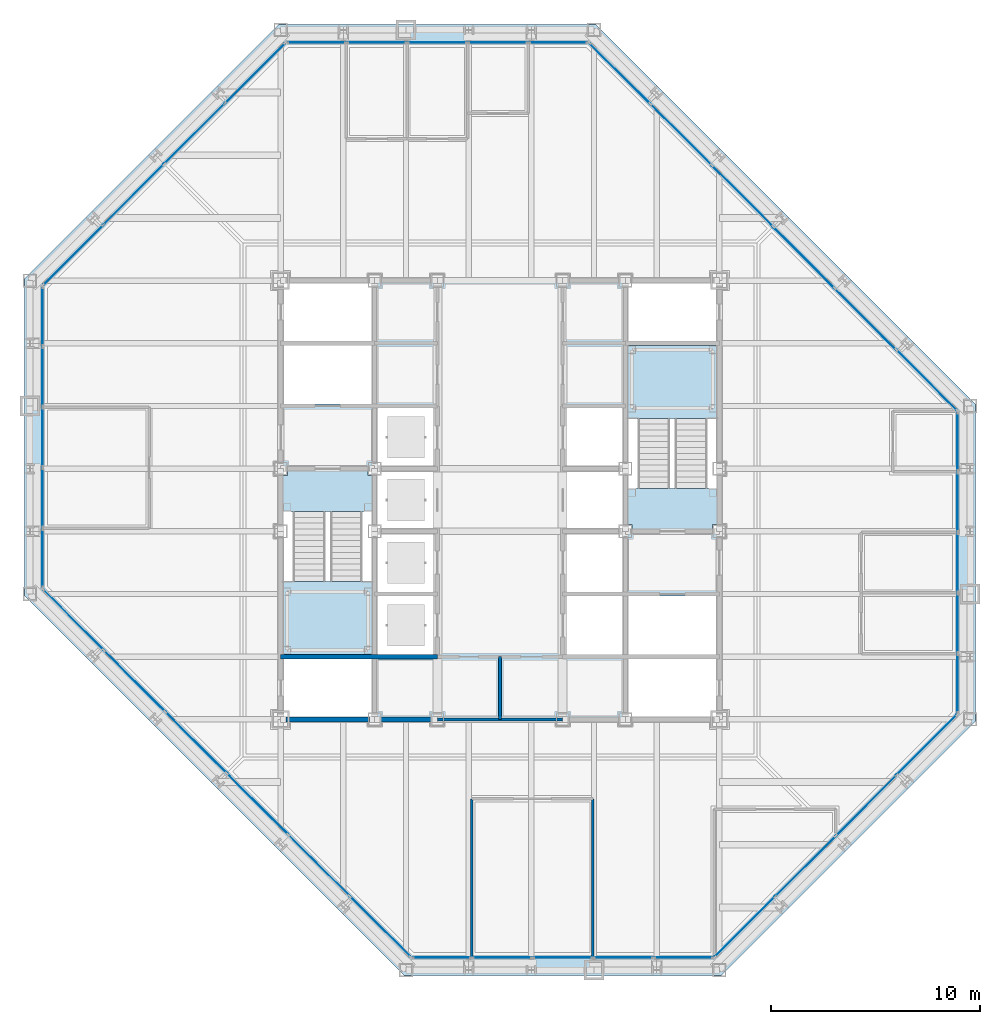
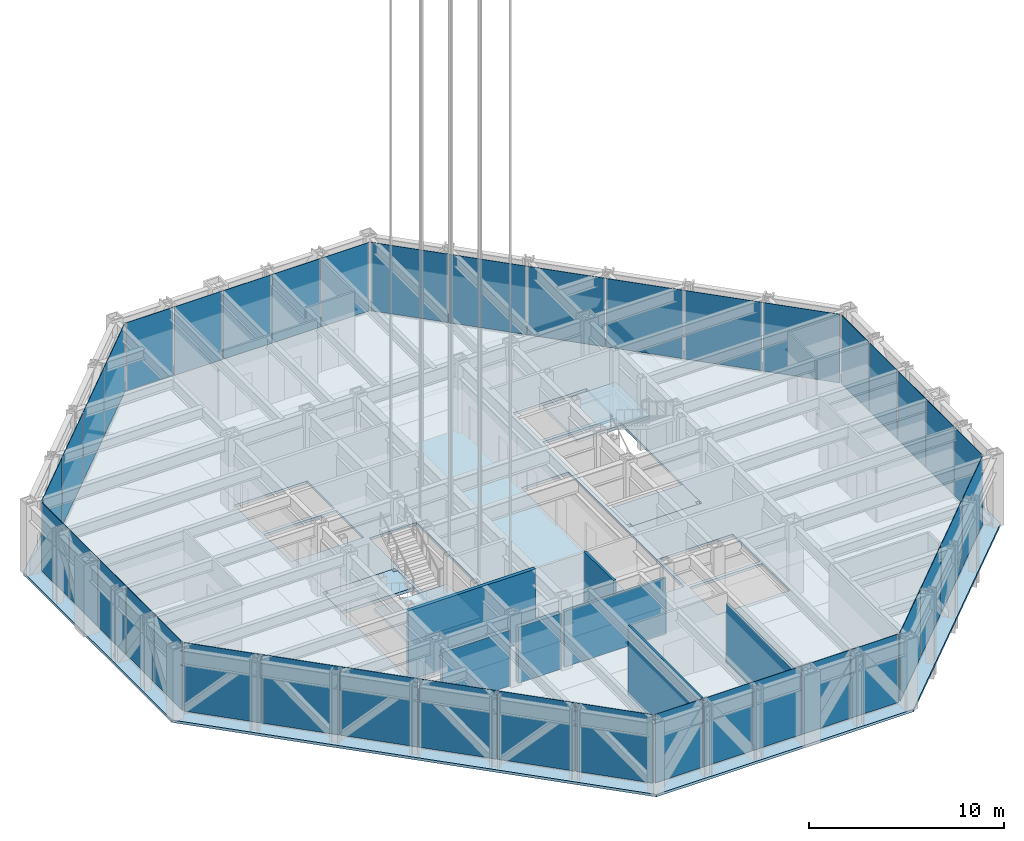
# One storey, part 9 of 24: 40 plates, 7 walls, 5 slabs, 10 elements without a shape of their own.
"""IFC4 building model written with IfcOpenShell, lengths in metres."""

from ifc_helpers import new_model, si_unit, direction, frame, frame_2d, origin, origin_2d, place, context, subcontext, project, spatial, polyline, rectangle, outline, extrude, material, layer, layer_set, type_object, element, aggregate, save


model = new_model("IFC4")

# Units and contexts
model_context = context("Model", 3, precision=1e-05, world=origin(), true_north=direction((0.0, 1.0)))
body_context = subcontext(model_context, "Body", "Model", "MODEL_VIEW")
ifc_project = project(units=[si_unit("LENGTHUNIT", "METRE"), si_unit("AREAUNIT", "SQUARE_METRE"), si_unit("VOLUMEUNIT", "CUBIC_METRE"), si_unit("PLANEANGLEUNIT", "RADIAN"), si_unit("MASSUNIT", "GRAM", prefix="KILO")], contexts=[model_context])

# Site, building, storey
site_placement = place(None, origin())
site = spatial("IfcSite", under=ifc_project, at=site_placement, CompositionType="ELEMENT")
building_placement = place(site_placement, origin())
building = spatial("IfcBuilding", under=site, at=building_placement, Name="Chuquiago Exchange Tower", CompositionType="ELEMENT")
storey_placement = place(building_placement, frame((0.0, 0.0, 180.0)))
storey = spatial("IfcBuildingStorey", under=building, at=storey_placement, Name="L39", CompositionType="ELEMENT", Elevation=180.0)

# Curtain wall, plate
ifc_material_1 = material(Name="Aluminium curtain wall system", Category="aluminium")
ifc_layer_1 = layer(ifc_material_1, 0.22509765625)
ifc_layer_set_1 = layer_set([ifc_layer_1], Name="CW2 office curtain wall")
curtain_wall_type_1 = type_object("IfcCurtainWallType", Name="CW2 office curtain wall", PredefinedType="NOTDEFINED", material=ifc_layer_set_1)
curtain_wall_1_placement = place(storey_placement, origin())
curtain_wall_1 = element("IfcCurtainWall", 1, at=curtain_wall_1_placement, inside=storey, type_object=curtain_wall_type_1, Name="CW2 curtain wall L39", PredefinedType="NOTDEFINED")
ifc_material_2 = material(Name="Glass, insulating unit", Category="glass")
ifc_layer_2 = layer(ifc_material_2, 0.030029296875)
ifc_layer_set_2 = layer_set([ifc_layer_2], Name="CW2-P panel 30")
plate_type_1 = type_object("IfcPlateType", Name="CW2-P panel 30", PredefinedType="CURTAIN_PANEL", material=ifc_layer_set_2)
plate_1_placement = place(storey_placement, frame((25.5, 0.60009765625, 0.06494140625), z_axis=(0.0, 0.0, 1.0), x_axis=(1.0, 0.0, 0.0)))
plate_1 = element("IfcPlate", 2, at=plate_1_placement, type_object=plate_type_1, Name="CW2 panel 3.1", PredefinedType="CURTAIN_PANEL", context=body_context, shape_type="SweptSolid", body=[
    extrude(rectangle(XDim=2.835693359375, YDim=0.030029296875, at=origin_2d()), origin(), (0.0, 0.0, 1.0), 4.27490234375),
])

curtain_wall_2_placement = place(storey_placement, origin())
curtain_wall_2 = element("IfcCurtainWall", 3, at=curtain_wall_2_placement, inside=storey, type_object=curtain_wall_type_1, Name="CW2 curtain wall L39", PredefinedType="NOTDEFINED")
plate_2_placement = place(storey_placement, frame((44.39990234375, 19.5, 0.06494140625), z_axis=(0.0, 0.0, 1.0), x_axis=(0.0, 1.0, 0.0)))
plate_2 = element("IfcPlate", 4, at=plate_2_placement, type_object=plate_type_1, Name="CW2 panel 3.1", PredefinedType="CURTAIN_PANEL", context=body_context, shape_type="SweptSolid", body=[
    extrude(rectangle(XDim=2.835693359375, YDim=0.030029296875, at=origin_2d()), origin(), (0.0, 0.0, 1.0), 4.27490234375),
])

curtain_wall_3_placement = place(storey_placement, origin())
curtain_wall_3 = element("IfcCurtainWall", 5, at=curtain_wall_3_placement, inside=storey, type_object=curtain_wall_type_1, Name="CW2 curtain wall L39", PredefinedType="NOTDEFINED")
plate_3_placement = place(storey_placement, frame((19.5, 44.39990234375, 0.06494140625), z_axis=(0.0, 0.0, 1.0), x_axis=(-1.0, 0.0, 0.0)))
plate_3 = element("IfcPlate", 6, at=plate_3_placement, type_object=plate_type_1, Name="CW2 panel 3.1", PredefinedType="CURTAIN_PANEL", context=body_context, shape_type="SweptSolid", body=[
    extrude(rectangle(XDim=2.835693359375, YDim=0.030029296875, at=origin_2d()), origin(), (0.0, 0.0, 1.0), 4.27490234375),
])

curtain_wall_4_placement = place(storey_placement, origin())
curtain_wall_4 = element("IfcCurtainWall", 7, at=curtain_wall_4_placement, inside=storey, type_object=curtain_wall_type_1, Name="CW2 curtain wall L39", PredefinedType="NOTDEFINED")
plate_4_placement = place(storey_placement, frame((0.60009765625, 25.5, 0.06494140625), z_axis=(0.0, 0.0, 1.0), x_axis=(0.0, -1.0, 0.0)))
plate_4 = element("IfcPlate", 8, at=plate_4_placement, type_object=plate_type_1, Name="CW2 panel 3.1", PredefinedType="CURTAIN_PANEL", context=body_context, shape_type="SweptSolid", body=[
    extrude(rectangle(XDim=2.835693359375, YDim=0.030029296875, at=origin_2d()), origin(), (0.0, 0.0, 1.0), 4.27490234375),
])

# Plate
ifc_material_3 = material(Name="Insulated spandrel panel, pale anodised aluminium", Category="aluminium")
ifc_layer_3 = layer(ifc_material_3, 0.030029296875)
ifc_layer_set_3 = layer_set([ifc_layer_3], Name="CW2-P spandrel panel 30")
plate_type_2 = type_object("IfcPlateType", Name="CW2-P spandrel panel 30", PredefinedType="CURTAIN_PANEL", material=ifc_layer_set_3)
plate_5_placement = place(storey_placement, frame((19.715087890625, 0.60009765625, 0.06494140625), z_axis=(0.0, 0.0, 1.0), x_axis=(1.0, 0.0, 0.0)))
plate_5 = element("IfcPlate", 9, at=plate_5_placement, type_object=plate_type_2, Name="CW2 panel 1.1", PredefinedType="CURTAIN_PANEL", context=body_context, shape_type="SweptSolid", body=[
    extrude(rectangle(XDim=2.802978515625, YDim=0.030029296875, at=origin_2d()), origin(), (0.0, 0.0, 1.0), 4.27490234375),
])

plate_6_placement = place(storey_placement, frame((22.599365234375, 0.60009765625, 0.06494140625), z_axis=(0.0, 0.0, 1.0), x_axis=(1.0, 0.0, 0.0)))
plate_6 = element("IfcPlate", 10, at=plate_6_placement, type_object=plate_type_2, Name="CW2 panel 2.1", PredefinedType="CURTAIN_PANEL", context=body_context, shape_type="SweptSolid", body=[
    extrude(rectangle(XDim=2.835693359375, YDim=0.030029296875, at=origin_2d()), origin(), (0.0, 0.0, 1.0), 4.27490234375),
])

plate_7_placement = place(storey_placement, frame((28.400634765625, 0.60009765625, 0.06494140625), z_axis=(0.0, 0.0, 1.0), x_axis=(1.0, 0.0, 0.0)))
plate_7 = element("IfcPlate", 11, at=plate_7_placement, type_object=plate_type_2, Name="CW2 panel 4.1", PredefinedType="CURTAIN_PANEL", context=body_context, shape_type="SweptSolid", body=[
    extrude(rectangle(XDim=2.835693359375, YDim=0.030029296875, at=origin_2d()), origin(), (0.0, 0.0, 1.0), 4.27490234375),
])

plate_8_placement = place(storey_placement, frame((31.284912109375, 0.60009765625, 0.06494140625), z_axis=(0.0, 0.0, 1.0), x_axis=(1.0, 0.0, 0.0)))
plate_8 = element("IfcPlate", 12, at=plate_8_placement, type_object=plate_type_2, Name="CW2 panel 5.1", PredefinedType="CURTAIN_PANEL", context=body_context, shape_type="SweptSolid", body=[
    extrude(rectangle(XDim=2.802978515625, YDim=0.030029296875, at=origin_2d()), origin(), (0.0, 0.0, 1.0), 4.27490234375),
])

aggregate(curtain_wall_1, [plate_5, plate_6, plate_1, plate_7, plate_8])

plate_9_placement = place(storey_placement, frame((44.39990234375, 13.715087890625, 0.06494140625), z_axis=(0.0, 0.0, 1.0), x_axis=(0.0, 1.0, 0.0)))
plate_9 = element("IfcPlate", 13, at=plate_9_placement, type_object=plate_type_2, Name="CW2 panel 1.1", PredefinedType="CURTAIN_PANEL", context=body_context, shape_type="SweptSolid", body=[
    extrude(rectangle(XDim=2.802978515625, YDim=0.030029296875, at=origin_2d()), origin(), (0.0, 0.0, 1.0), 4.27490234375),
])

plate_10_placement = place(storey_placement, frame((44.39990234375, 16.599365234375, 0.06494140625), z_axis=(0.0, 0.0, 1.0), x_axis=(0.0, 1.0, 0.0)))
plate_10 = element("IfcPlate", 14, at=plate_10_placement, type_object=plate_type_2, Name="CW2 panel 2.1", PredefinedType="CURTAIN_PANEL", context=body_context, shape_type="SweptSolid", body=[
    extrude(rectangle(XDim=2.835693359375, YDim=0.030029296875, at=origin_2d()), origin(), (0.0, 0.0, 1.0), 4.27490234375),
])

plate_11_placement = place(storey_placement, frame((44.39990234375, 22.400634765625, 0.06494140625), z_axis=(0.0, 0.0, 1.0), x_axis=(0.0, 1.0, 0.0)))
plate_11 = element("IfcPlate", 15, at=plate_11_placement, type_object=plate_type_2, Name="CW2 panel 4.1", PredefinedType="CURTAIN_PANEL", context=body_context, shape_type="SweptSolid", body=[
    extrude(rectangle(XDim=2.835693359375, YDim=0.030029296875, at=origin_2d()), origin(), (0.0, 0.0, 1.0), 4.27490234375),
])

plate_12_placement = place(storey_placement, frame((44.39990234375, 25.284912109375, 0.06494140625), z_axis=(0.0, 0.0, 1.0), x_axis=(0.0, 1.0, 0.0)))
plate_12 = element("IfcPlate", 16, at=plate_12_placement, type_object=plate_type_2, Name="CW2 panel 5.1", PredefinedType="CURTAIN_PANEL", context=body_context, shape_type="SweptSolid", body=[
    extrude(rectangle(XDim=2.802978515625, YDim=0.030029296875, at=origin_2d()), origin(), (0.0, 0.0, 1.0), 4.27490234375),
])

aggregate(curtain_wall_2, [plate_9, plate_10, plate_2, plate_11, plate_12])

plate_13_placement = place(storey_placement, frame((25.284912109375, 44.39990234375, 0.06494140625), z_axis=(0.0, 0.0, 1.0), x_axis=(-1.0, 0.0, 0.0)))
plate_13 = element("IfcPlate", 17, at=plate_13_placement, type_object=plate_type_2, Name="CW2 panel 1.1", PredefinedType="CURTAIN_PANEL", context=body_context, shape_type="SweptSolid", body=[
    extrude(rectangle(XDim=2.802978515625, YDim=0.030029296875, at=origin_2d()), origin(), (0.0, 0.0, 1.0), 4.27490234375),
])

plate_14_placement = place(storey_placement, frame((22.400634765625, 44.39990234375, 0.06494140625), z_axis=(0.0, 0.0, 1.0), x_axis=(-1.0, 0.0, 0.0)))
plate_14 = element("IfcPlate", 18, at=plate_14_placement, type_object=plate_type_2, Name="CW2 panel 2.1", PredefinedType="CURTAIN_PANEL", context=body_context, shape_type="SweptSolid", body=[
    extrude(rectangle(XDim=2.835693359375, YDim=0.030029296875, at=origin_2d()), origin(), (0.0, 0.0, 1.0), 4.27490234375),
])

plate_15_placement = place(storey_placement, frame((16.599365234375, 44.39990234375, 0.06494140625), z_axis=(0.0, 0.0, 1.0), x_axis=(-1.0, 0.0, 0.0)))
plate_15 = element("IfcPlate", 19, at=plate_15_placement, type_object=plate_type_2, Name="CW2 panel 4.1", PredefinedType="CURTAIN_PANEL", context=body_context, shape_type="SweptSolid", body=[
    extrude(rectangle(XDim=2.835693359375, YDim=0.030029296875, at=origin_2d()), origin(), (0.0, 0.0, 1.0), 4.27490234375),
])

plate_16_placement = place(storey_placement, frame((13.715087890625, 44.39990234375, 0.06494140625), z_axis=(0.0, 0.0, 1.0), x_axis=(-1.0, 0.0, 0.0)))
plate_16 = element("IfcPlate", 20, at=plate_16_placement, type_object=plate_type_2, Name="CW2 panel 5.1", PredefinedType="CURTAIN_PANEL", context=body_context, shape_type="SweptSolid", body=[
    extrude(rectangle(XDim=2.802978515625, YDim=0.030029296875, at=origin_2d()), origin(), (0.0, 0.0, 1.0), 4.27490234375),
])

aggregate(curtain_wall_3, [plate_13, plate_14, plate_3, plate_15, plate_16])

plate_17_placement = place(storey_placement, frame((0.60009765625, 31.284912109375, 0.06494140625), z_axis=(0.0, 0.0, 1.0), x_axis=(0.0, -1.0, 0.0)))
plate_17 = element("IfcPlate", 21, at=plate_17_placement, type_object=plate_type_2, Name="CW2 panel 1.1", PredefinedType="CURTAIN_PANEL", context=body_context, shape_type="SweptSolid", body=[
    extrude(rectangle(XDim=2.802978515625, YDim=0.030029296875, at=origin_2d()), origin(), (0.0, 0.0, 1.0), 4.27490234375),
])

plate_18_placement = place(storey_placement, frame((0.60009765625, 28.400634765625, 0.06494140625), z_axis=(0.0, 0.0, 1.0), x_axis=(0.0, -1.0, 0.0)))
plate_18 = element("IfcPlate", 22, at=plate_18_placement, type_object=plate_type_2, Name="CW2 panel 2.1", PredefinedType="CURTAIN_PANEL", context=body_context, shape_type="SweptSolid", body=[
    extrude(rectangle(XDim=2.835693359375, YDim=0.030029296875, at=origin_2d()), origin(), (0.0, 0.0, 1.0), 4.27490234375),
])

plate_19_placement = place(storey_placement, frame((0.60009765625, 22.599365234375, 0.06494140625), z_axis=(0.0, 0.0, 1.0), x_axis=(0.0, -1.0, 0.0)))
plate_19 = element("IfcPlate", 23, at=plate_19_placement, type_object=plate_type_2, Name="CW2 panel 4.1", PredefinedType="CURTAIN_PANEL", context=body_context, shape_type="SweptSolid", body=[
    extrude(rectangle(XDim=2.835693359375, YDim=0.030029296875, at=origin_2d()), origin(), (0.0, 0.0, 1.0), 4.27490234375),
])

plate_20_placement = place(storey_placement, frame((0.60009765625, 19.715087890625, 0.06494140625), z_axis=(0.0, 0.0, 1.0), x_axis=(0.0, -1.0, 0.0)))
plate_20 = element("IfcPlate", 24, at=plate_20_placement, type_object=plate_type_2, Name="CW2 panel 5.1", PredefinedType="CURTAIN_PANEL", context=body_context, shape_type="SweptSolid", body=[
    extrude(rectangle(XDim=2.802978515625, YDim=0.030029296875, at=origin_2d()), origin(), (0.0, 0.0, 1.0), 4.27490234375),
])

aggregate(curtain_wall_4, [plate_17, plate_18, plate_4, plate_19, plate_20])

# Curtain wall, plates
ifc_material_4 = material(Name="Aluminium curtain wall system", Category="aluminium")
ifc_layer_4 = layer(ifc_material_4, 0.199951171875)
ifc_layer_set_4 = layer_set([ifc_layer_4], Name="CW3 facet curtain wall")
curtain_wall_type_2 = type_object("IfcCurtainWallType", Name="CW3 facet curtain wall", PredefinedType="NOTDEFINED", material=ifc_layer_set_4)
curtain_wall_5_placement = place(storey_placement, origin())
curtain_wall_5 = element("IfcCurtainWall", 25, at=curtain_wall_5_placement, inside=storey, type_object=curtain_wall_type_2, Name="CW3 curtain wall L39", PredefinedType="NOTDEFINED")
ifc_material_5 = material(Name="Insulated spandrel panel, pale anodised aluminium", Category="aluminium")
ifc_layer_5 = layer(ifc_material_5, 0.030029296875)
ifc_layer_set_5 = layer_set([ifc_layer_5], Name="CW3-P spandrel panel 30")
plate_type_3 = type_object("IfcPlateType", Name="CW3-P spandrel panel 30", PredefinedType="CURTAIN_PANEL", material=ifc_layer_set_5)
plate_21_placement = place(storey_placement, frame((34.218994140625, 2.067626953125, 0.06494140625), z_axis=(0.0, 0.0, 1.0), x_axis=(0.707106781187, 0.707106781187, 0.0)))
plate_21 = element("IfcPlate", 26, at=plate_21_placement, type_object=plate_type_3, Name="CW3 panel 1.1", PredefinedType="CURTAIN_PANEL", context=body_context, shape_type="SweptSolid", body=[
    extrude(rectangle(XDim=4.020751953125, YDim=0.030029296875, at=origin_2d()), origin(), (0.0, 0.0, 1.0), 4.27490234375),
])
plate_22_placement = place(storey_placement, frame((37.11962890625, 4.96826171875, 0.06494140625), z_axis=(0.0, 0.0, 1.0), x_axis=(0.707106781187, 0.707106781187, 0.0)))
plate_22 = element("IfcPlate", 27, at=plate_22_placement, type_object=plate_type_3, Name="CW3 panel 2.1", PredefinedType="CURTAIN_PANEL", context=body_context, shape_type="SweptSolid", body=[
    extrude(rectangle(XDim=4.053466796875, YDim=0.030029296875, at=origin_2d()), origin(), (0.0, 0.0, 1.0), 4.27490234375),
])
plate_23_placement = place(storey_placement, frame((40.03173828125, 7.88037109375, 0.06494140625), z_axis=(0.0, 0.0, 1.0), x_axis=(0.707106781187, 0.707106781187, 0.0)))
plate_23 = element("IfcPlate", 28, at=plate_23_placement, type_object=plate_type_3, Name="CW3 panel 3.1", PredefinedType="CURTAIN_PANEL", context=body_context, shape_type="SweptSolid", body=[
    extrude(rectangle(XDim=4.053466796875, YDim=0.030029296875, at=origin_2d()), origin(), (0.0, 0.0, 1.0), 4.27490234375),
])
plate_24_placement = place(storey_placement, frame((42.932373046875, 10.781005859375, 0.06494140625), z_axis=(0.0, 0.0, 1.0), x_axis=(0.707106781187, 0.707106781187, 0.0)))
plate_24 = element("IfcPlate", 29, at=plate_24_placement, type_object=plate_type_3, Name="CW3 panel 4.1", PredefinedType="CURTAIN_PANEL", context=body_context, shape_type="SweptSolid", body=[
    extrude(rectangle(XDim=4.020751953125, YDim=0.030029296875, at=origin_2d()), origin(), (0.0, 0.0, 1.0), 4.27490234375),
])
aggregate(curtain_wall_5, [plate_21, plate_22, plate_23, plate_24])

curtain_wall_6_placement = place(storey_placement, origin())
curtain_wall_6 = element("IfcCurtainWall", 30, at=curtain_wall_6_placement, inside=storey, type_object=curtain_wall_type_2, Name="CW3 curtain wall L39", PredefinedType="NOTDEFINED")
plate_25_placement = place(storey_placement, frame((42.917724609375, 28.233642578125, 0.06494140625), z_axis=(0.0, 0.0, 1.0), x_axis=(-0.707106781187, 0.707106781187, 0.0)))
plate_25 = element("IfcPlate", 31, at=plate_25_placement, type_object=plate_type_3, Name="CW3 panel 1.1", PredefinedType="CURTAIN_PANEL", context=body_context, shape_type="SweptSolid", body=[
    extrude(rectangle(XDim=4.062255859375, YDim=0.030029296875, at=origin_2d()), origin(), (0.0, 0.0, 1.0), 4.27490234375),
])
plate_26_placement = place(storey_placement, frame((39.98779296875, 31.16357421875, 0.06494140625), z_axis=(0.0, 0.0, 1.0), x_axis=(-0.707106781187, 0.707106781187, 0.0)))
plate_26 = element("IfcPlate", 32, at=plate_26_placement, type_object=plate_type_3, Name="CW3 panel 2.1", PredefinedType="CURTAIN_PANEL", context=body_context, shape_type="SweptSolid", body=[
    extrude(rectangle(XDim=4.0947265625, YDim=0.030029296875, at=origin_2d()), origin(), (0.0, 0.0, 1.0), 4.27490234375),
])
plate_27_placement = place(storey_placement, frame((37.04638671875, 34.10498046875, 0.06494140625), z_axis=(0.0, 0.0, 1.0), x_axis=(-0.707106781187, 0.707106781187, 0.0)))
plate_27 = element("IfcPlate", 33, at=plate_27_placement, type_object=plate_type_3, Name="CW3 panel 3.1", PredefinedType="CURTAIN_PANEL", context=body_context, shape_type="SweptSolid", body=[
    extrude(rectangle(XDim=4.0947265625, YDim=0.030029296875, at=origin_2d()), origin(), (0.0, 0.0, 1.0), 4.27490234375),
])
plate_28_placement = place(storey_placement, frame((34.10498046875, 37.04638671875, 0.06494140625), z_axis=(0.0, 0.0, 1.0), x_axis=(-0.707106781187, 0.707106781187, 0.0)))
plate_28 = element("IfcPlate", 34, at=plate_28_placement, type_object=plate_type_3, Name="CW3 panel 4.1", PredefinedType="CURTAIN_PANEL", context=body_context, shape_type="SweptSolid", body=[
    extrude(rectangle(XDim=4.0947265625, YDim=0.030029296875, at=origin_2d()), origin(), (0.0, 0.0, 1.0), 4.27490234375),
])
plate_29_placement = place(storey_placement, frame((31.16357421875, 39.98779296875, 0.06494140625), z_axis=(0.0, 0.0, 1.0), x_axis=(-0.707106781187, 0.707106781187, 0.0)))
plate_29 = element("IfcPlate", 35, at=plate_29_placement, type_object=plate_type_3, Name="CW3 panel 5.1", PredefinedType="CURTAIN_PANEL", context=body_context, shape_type="SweptSolid", body=[
    extrude(rectangle(XDim=4.0947265625, YDim=0.030029296875, at=origin_2d()), origin(), (0.0, 0.0, 1.0), 4.27490234375),
])
plate_30_placement = place(storey_placement, frame((28.233642578125, 42.917724609375, 0.06494140625), z_axis=(0.0, 0.0, 1.0), x_axis=(-0.707106781187, 0.707106781187, 0.0)))
plate_30 = element("IfcPlate", 36, at=plate_30_placement, type_object=plate_type_3, Name="CW3 panel 6.1", PredefinedType="CURTAIN_PANEL", context=body_context, shape_type="SweptSolid", body=[
    extrude(rectangle(XDim=4.062255859375, YDim=0.030029296875, at=origin_2d()), origin(), (0.0, 0.0, 1.0), 4.27490234375),
])
aggregate(curtain_wall_6, [plate_25, plate_26, plate_27, plate_28, plate_29, plate_30])

curtain_wall_7_placement = place(storey_placement, origin())
curtain_wall_7 = element("IfcCurtainWall", 37, at=curtain_wall_7_placement, inside=storey, type_object=curtain_wall_type_2, Name="CW3 curtain wall L39", PredefinedType="NOTDEFINED")
plate_31_placement = place(storey_placement, frame((10.781005859375, 42.932373046875, 0.06494140625), z_axis=(0.0, 0.0, 1.0), x_axis=(-0.707106781187, -0.707106781187, 0.0)))
plate_31 = element("IfcPlate", 38, at=plate_31_placement, type_object=plate_type_3, Name="CW3 panel 1.1", PredefinedType="CURTAIN_PANEL", context=body_context, shape_type="SweptSolid", body=[
    extrude(rectangle(XDim=4.020751953125, YDim=0.030029296875, at=origin_2d()), origin(), (0.0, 0.0, 1.0), 4.27490234375),
])
plate_32_placement = place(storey_placement, frame((7.88037109375, 40.03173828125, 0.06494140625), z_axis=(0.0, 0.0, 1.0), x_axis=(-0.707106781187, -0.707106781187, 0.0)))
plate_32 = element("IfcPlate", 39, at=plate_32_placement, type_object=plate_type_3, Name="CW3 panel 2.1", PredefinedType="CURTAIN_PANEL", context=body_context, shape_type="SweptSolid", body=[
    extrude(rectangle(XDim=4.053466796875, YDim=0.030029296875, at=origin_2d()), origin(), (0.0, 0.0, 1.0), 4.27490234375),
])
plate_33_placement = place(storey_placement, frame((4.96826171875, 37.11962890625, 0.06494140625), z_axis=(0.0, 0.0, 1.0), x_axis=(-0.707106781187, -0.707106781187, 0.0)))
plate_33 = element("IfcPlate", 40, at=plate_33_placement, type_object=plate_type_3, Name="CW3 panel 3.1", PredefinedType="CURTAIN_PANEL", context=body_context, shape_type="SweptSolid", body=[
    extrude(rectangle(XDim=4.053466796875, YDim=0.030029296875, at=origin_2d()), origin(), (0.0, 0.0, 1.0), 4.27490234375),
])
plate_34_placement = place(storey_placement, frame((2.067626953125, 34.218994140625, 0.06494140625), z_axis=(0.0, 0.0, 1.0), x_axis=(-0.707106781187, -0.707106781187, 0.0)))
plate_34 = element("IfcPlate", 41, at=plate_34_placement, type_object=plate_type_3, Name="CW3 panel 4.1", PredefinedType="CURTAIN_PANEL", context=body_context, shape_type="SweptSolid", body=[
    extrude(rectangle(XDim=4.020751953125, YDim=0.030029296875, at=origin_2d()), origin(), (0.0, 0.0, 1.0), 4.27490234375),
])
aggregate(curtain_wall_7, [plate_31, plate_32, plate_33, plate_34])

curtain_wall_8_placement = place(storey_placement, origin())
curtain_wall_8 = element("IfcCurtainWall", 42, at=curtain_wall_8_placement, inside=storey, type_object=curtain_wall_type_2, Name="CW3 curtain wall L39", PredefinedType="NOTDEFINED")
plate_35_placement = place(storey_placement, frame((2.082275390625, 16.766357421875, 0.06494140625), z_axis=(0.0, 0.0, 1.0), x_axis=(0.707106781187, -0.707106781187, 0.0)))
plate_35 = element("IfcPlate", 43, at=plate_35_placement, type_object=plate_type_3, Name="CW3 panel 1.1", PredefinedType="CURTAIN_PANEL", context=body_context, shape_type="SweptSolid", body=[
    extrude(rectangle(XDim=4.062255859375, YDim=0.030029296875, at=origin_2d()), origin(), (0.0, 0.0, 1.0), 4.27490234375),
])
plate_36_placement = place(storey_placement, frame((5.01220703125, 13.83642578125, 0.06494140625), z_axis=(0.0, 0.0, 1.0), x_axis=(0.707106781187, -0.707106781187, 0.0)))
plate_36 = element("IfcPlate", 44, at=plate_36_placement, type_object=plate_type_3, Name="CW3 panel 2.1", PredefinedType="CURTAIN_PANEL", context=body_context, shape_type="SweptSolid", body=[
    extrude(rectangle(XDim=4.0947265625, YDim=0.030029296875, at=origin_2d()), origin(), (0.0, 0.0, 1.0), 4.27490234375),
])
plate_37_placement = place(storey_placement, frame((7.95361328125, 10.89501953125, 0.06494140625), z_axis=(0.0, 0.0, 1.0), x_axis=(0.707106781187, -0.707106781187, 0.0)))
plate_37 = element("IfcPlate", 45, at=plate_37_placement, type_object=plate_type_3, Name="CW3 panel 3.1", PredefinedType="CURTAIN_PANEL", context=body_context, shape_type="SweptSolid", body=[
    extrude(rectangle(XDim=4.0947265625, YDim=0.030029296875, at=origin_2d()), origin(), (0.0, 0.0, 1.0), 4.27490234375),
])
plate_38_placement = place(storey_placement, frame((10.89501953125, 7.95361328125, 0.06494140625), z_axis=(0.0, 0.0, 1.0), x_axis=(0.707106781187, -0.707106781187, 0.0)))
plate_38 = element("IfcPlate", 46, at=plate_38_placement, type_object=plate_type_3, Name="CW3 panel 4.1", PredefinedType="CURTAIN_PANEL", context=body_context, shape_type="SweptSolid", body=[
    extrude(rectangle(XDim=4.0947265625, YDim=0.030029296875, at=origin_2d()), origin(), (0.0, 0.0, 1.0), 4.27490234375),
])
plate_39_placement = place(storey_placement, frame((13.83642578125, 5.01220703125, 0.06494140625), z_axis=(0.0, 0.0, 1.0), x_axis=(0.707106781187, -0.707106781187, 0.0)))
plate_39 = element("IfcPlate", 47, at=plate_39_placement, type_object=plate_type_3, Name="CW3 panel 5.1", PredefinedType="CURTAIN_PANEL", context=body_context, shape_type="SweptSolid", body=[
    extrude(rectangle(XDim=4.0947265625, YDim=0.030029296875, at=origin_2d()), origin(), (0.0, 0.0, 1.0), 4.27490234375),
])
plate_40_placement = place(storey_placement, frame((16.766357421875, 2.082275390625, 0.06494140625), z_axis=(0.0, 0.0, 1.0), x_axis=(0.707106781187, -0.707106781187, 0.0)))
plate_40 = element("IfcPlate", 48, at=plate_40_placement, type_object=plate_type_3, Name="CW3 panel 6.1", PredefinedType="CURTAIN_PANEL", context=body_context, shape_type="SweptSolid", body=[
    extrude(rectangle(XDim=4.062255859375, YDim=0.030029296875, at=origin_2d()), origin(), (0.0, 0.0, 1.0), 4.27490234375),
])
aggregate(curtain_wall_8, [plate_35, plate_36, plate_37, plate_38, plate_39, plate_40])

# Slab
ifc_material_6 = material(Name="Concrete C30/37", Category="concrete")
ifc_layer_6 = layer(ifc_material_6, 0.159912109375)
ifc_layer_set_6 = layer_set([ifc_layer_6], Name="FS1 composite floor 160")
slab_type_1 = type_object("IfcSlabType", Name="FS1 composite floor 160", PredefinedType="FLOOR", material=ifc_layer_set_6)
slab_1_placement = place(storey_placement, frame((0.0, 0.0, -0.159912109375)))
element("IfcSlab", 49, at=slab_1_placement, inside=storey, type_object=slab_type_1, Name="L39 floor slab", PredefinedType="FLOOR", context=body_context, shape_type="SweptSolid", body=[
    extrude(outline(polyline([(17.896484375, -0.25), (-0.25, 17.896484375), (-0.25, 33.103515625), (11.896484375, 45.25), (27.103515625, 45.25), (45.25, 27.103515625), (45.25, 11.896484375), (33.103515625, -0.25), (17.896484375, -0.25)]), holes=[polyline([(16.39990234375, 15.10009765625), (12.10009765625, 15.10009765625), (12.10009765625, 23.89990234375), (16.39990234375, 23.89990234375), (16.39990234375, 15.10009765625)]), polyline([(32.89990234375, 21.10009765625), (28.60009765625, 21.10009765625), (28.60009765625, 29.89990234375), (32.89990234375, 29.89990234375), (32.89990234375, 21.10009765625)]), polyline([(16.39990234375, 12.10009765625), (12.10009765625, 12.10009765625), (12.10009765625, 14.89990234375), (16.39990234375, 14.89990234375), (16.39990234375, 12.10009765625)]), polyline([(16.39990234375, 30.10009765625), (12.10009765625, 30.10009765625), (12.10009765625, 32.89990234375), (16.39990234375, 32.89990234375), (16.39990234375, 30.10009765625)]), polyline([(32.89990234375, 12.10009765625), (28.60009765625, 12.10009765625), (28.60009765625, 14.89990234375), (32.89990234375, 14.89990234375), (32.89990234375, 12.10009765625)]), polyline([(32.89990234375, 30.10009765625), (28.60009765625, 30.10009765625), (28.60009765625, 32.89990234375), (32.89990234375, 32.89990234375), (32.89990234375, 30.10009765625)]), polyline([(16.39990234375, 27.10009765625), (12.10009765625, 27.10009765625), (12.10009765625, 29.89990234375), (16.39990234375, 29.89990234375), (16.39990234375, 27.10009765625)]), polyline([(32.89990234375, 15.10009765625), (28.60009765625, 15.10009765625), (28.60009765625, 17.89990234375), (32.89990234375, 17.89990234375), (32.89990234375, 15.10009765625)]), polyline([(19.39990234375, 15.10009765625), (16.60009765625, 15.10009765625), (16.60009765625, 26.89990234375), (19.39990234375, 26.89990234375), (19.39990234375, 15.10009765625)]), polyline([(28.39990234375, 15.10009765625), (25.60009765625, 15.10009765625), (25.60009765625, 26.89990234375), (28.39990234375, 26.89990234375), (28.39990234375, 15.10009765625)])]), origin(), (0.0, 0.0, 1.0), 0.159912109375),
])

# Stair, slabs
ifc_material_7 = material(Name="Concrete C30/37, precast", Category="concrete")
stair_type_1 = type_object("IfcStairType", Name="ST1 half-turn stair 4500", PredefinedType="HALF_TURN_STAIR", material=ifc_material_7)
stair_1_placement = place(storey_placement, origin())
stair_1 = element("IfcStair", 50, at=stair_1_placement, inside=storey, type_object=stair_type_1, Name="Stair ST1 L39", PredefinedType="HALF_TURN_STAIR")
ifc_material_8 = material(Name="Concrete C30/37, precast", Category="concrete")
ifc_layer_7 = layer(ifc_material_8, 0.199951171875)
ifc_layer_set_7 = layer_set([ifc_layer_7], Name="ST-L landing 200")
slab_type_2 = type_object("IfcSlabType", Name="ST-L landing 200", PredefinedType="LANDING", material=ifc_layer_set_7)
slab_2_placement = place(storey_placement, frame((0.0, 0.0, -0.199951171875)))
slab_2 = element("IfcSlab", 51, at=slab_2_placement, type_object=slab_type_2, Name="ST1 landing 1", PredefinedType="LANDING", context=body_context, shape_type="SweptSolid", body=[
    extrude(outline(polyline([(12.324951171875, 23.89990234375), (16.175048828125, 23.89990234375), (16.175048828125, 23.675048828125), (16.39990234375, 23.675048828125), (16.39990234375, 21.949951171875), (12.10009765625, 21.949951171875), (12.10009765625, 23.675048828125), (12.324951171875, 23.675048828125), (12.324951171875, 23.89990234375)])), origin(), (0.0, 0.0, 1.0), 0.199951171875),
])
slab_3_placement = place(storey_placement, frame((0.0, 0.0, 2.050048828125)))
slab_3 = element("IfcSlab", 52, at=slab_3_placement, type_object=slab_type_2, Name="ST1 landing 2", PredefinedType="LANDING", context=body_context, shape_type="SweptSolid", body=[
    extrude(outline(polyline([(12.10009765625, 18.590087890625), (16.39990234375, 18.590087890625), (16.39990234375, 15.10009765625), (12.10009765625, 15.10009765625), (12.10009765625, 18.590087890625)])), origin(), (0.0, 0.0, 1.0), 0.199951171875),
])
aggregate(stair_1, [slab_2, slab_3])

ifc_material_9 = material(Name="Concrete C30/37, precast", Category="concrete")
stair_type_2 = type_object("IfcStairType", Name="ST2 half-turn stair 4500", PredefinedType="HALF_TURN_STAIR", material=ifc_material_9)
stair_2_placement = place(storey_placement, origin())
stair_2 = element("IfcStair", 53, at=stair_2_placement, inside=storey, type_object=stair_type_2, Name="Stair ST2 L39", PredefinedType="HALF_TURN_STAIR")
slab_4_placement = place(storey_placement, frame((0.0, 0.0, -0.199951171875)))
slab_4 = element("IfcSlab", 54, at=slab_4_placement, type_object=slab_type_2, Name="ST2 landing 1", PredefinedType="LANDING", context=body_context, shape_type="SweptSolid", body=[
    extrude(outline(polyline([(32.675048828125, 21.324951171875), (32.675048828125, 21.10009765625), (28.824951171875, 21.10009765625), (28.824951171875, 21.324951171875), (28.60009765625, 21.324951171875), (28.60009765625, 23.050048828125), (32.89990234375, 23.050048828125), (32.89990234375, 21.324951171875), (32.675048828125, 21.324951171875)])), origin(), (0.0, 0.0, 1.0), 0.199951171875),
])
slab_5_placement = place(storey_placement, frame((0.0, 0.0, 2.050048828125)))
slab_5 = element("IfcSlab", 55, at=slab_5_placement, type_object=slab_type_2, Name="ST2 landing 2", PredefinedType="LANDING", context=body_context, shape_type="SweptSolid", body=[
    extrude(outline(polyline([(28.60009765625, 29.89990234375), (32.89990234375, 29.89990234375), (32.89990234375, 26.409912109375), (28.60009765625, 26.409912109375), (28.60009765625, 29.89990234375)])), origin(), (0.0, 0.0, 1.0), 0.199951171875),
])
aggregate(stair_2, [slab_4, slab_5])

# Walls
ifc_material_10 = material(Name="Concrete masonry, fully grouted", Category="masonry")
ifc_layer_8 = layer(ifc_material_10, 0.25)
ifc_layer_set_8 = layer_set([ifc_layer_8], Name="W1 core wall 250")
wall_type_1 = type_object("IfcWallType", Name="W1 core wall 250", PredefinedType="SOLIDWALL", material=ifc_layer_set_8)
wall_1_placement = place(storey_placement, frame((12.25, 12.0, 0.0), z_axis=(0.0, 0.0, 1.0), x_axis=(1.0, 0.0, 0.0)))
element("IfcWall", 56, at=wall_1_placement, inside=storey, type_object=wall_type_1, Name="CW-L39-01-0", PredefinedType="SOLIDWALL", context=body_context, shape_type="SweptSolid", body=[
    extrude(rectangle(XDim=4.0, YDim=0.25, at=frame_2d((2.0, 0.0))), origin(), (0.0, 0.0, 1.0), 3.4814453125),
])
wall_2_placement = place(storey_placement, frame((16.75, 12.0, 0.0), z_axis=(0.0, 0.0, 1.0), x_axis=(1.0, 0.0, 0.0)))
element("IfcWall", 57, at=wall_2_placement, inside=storey, type_object=wall_type_1, Name="CW-L39-01-1", PredefinedType="SOLIDWALL", context=body_context, shape_type="SweptSolid", body=[
    extrude(rectangle(XDim=2.5, YDim=0.25, at=frame_2d((1.25, 0.0))), origin(), (0.0, 0.0, 1.0), 3.4814453125),
])
ifc_material_11 = material(Name="Concrete masonry, fully grouted", Category="masonry")
ifc_layer_9 = layer(ifc_material_11, 0.199951171875)
ifc_layer_set_9 = layer_set([ifc_layer_9], Name="W2 shaft wall 200")
wall_type_2 = type_object("IfcWallType", Name="W2 shaft wall 200", PredefinedType="SOLIDWALL", material=ifc_layer_set_9)
wall_3_placement = place(storey_placement, frame((12.0, 15.0, 0.0), z_axis=(0.0, 0.0, 1.0), x_axis=(1.0, 0.0, 0.0)))
element("IfcWall", 58, at=wall_3_placement, inside=storey, type_object=wall_type_2, Name="CW-L39-03-0", PredefinedType="SOLIDWALL", context=body_context, shape_type="SweptSolid", body=[
    extrude(rectangle(XDim=7.5, YDim=0.199951171875, at=frame_2d((3.75, 0.0))), origin(), (0.0, 0.0, 1.0), 4.340087890625),
])
ifc_material_12 = material(Name="Gypsum board on steel studs", Category="steel")
ifc_layer_10 = layer(ifc_material_12, 0.14990234375)
ifc_layer_set_10 = layer_set([ifc_layer_10], Name="W3 core partition 150")
wall_type_3 = type_object("IfcWallType", Name="W3 core partition 150", PredefinedType="PARTITIONING", material=ifc_layer_set_10)
wall_4_placement = place(storey_placement, frame((22.5, 15.0, 0.0), z_axis=(0.0, 0.0, 1.0), x_axis=(0.0, -1.0, 0.0)))
element("IfcWall", 59, at=wall_4_placement, inside=storey, type_object=wall_type_3, Name="CW-L39-TM", PredefinedType="PARTITIONING", context=body_context, shape_type="SweptSolid", body=[
    extrude(rectangle(XDim=3.0, YDim=0.14990234375, at=frame_2d((1.5, 0.0))), origin(), (0.0, 0.0, 1.0), 4.340087890625),
])
wall_5_placement = place(storey_placement, frame((19.5, 12.0, 0.0), z_axis=(0.0, 0.0, 1.0), x_axis=(1.0, 0.0, 0.0)))
element("IfcWall", 60, at=wall_5_placement, inside=storey, type_object=wall_type_3, Name="CW-L39-TB", PredefinedType="PARTITIONING", context=body_context, shape_type="SweptSolid", body=[
    extrude(rectangle(XDim=6.0, YDim=0.14990234375, at=frame_2d((3.0, 0.0))), origin(), (0.0, 0.0, 1.0), 3.4814453125),
])
ifc_material_13 = material(Name="Gypsum board on steel studs", Category="steel")
ifc_layer_11 = layer(ifc_material_13, 0.1201171875)
ifc_layer_set_11 = layer_set([ifc_layer_11], Name="W4 partition 120")
wall_type_4 = type_object("IfcWallType", Name="W4 partition 120", PredefinedType="PARTITIONING", material=ifc_layer_set_11)
wall_6_placement = place(storey_placement, frame((21.149169921875, 0.652587890625, 0.0), z_axis=(0.0, 0.0, 1.0), x_axis=(0.0, 1.0, 0.0)))
element("IfcWall", 61, at=wall_6_placement, inside=storey, type_object=wall_type_4, Name="PW-L39-S02115", PredefinedType="PARTITIONING", context=body_context, shape_type="SweptSolid", body=[
    extrude(rectangle(XDim=7.54736328125, YDim=0.1201171875, at=frame_2d((3.773681640625, 0.0))), origin(), (0.0, 0.0, 1.0), 4.340087890625),
])
wall_7_placement = place(storey_placement, frame((26.9501953125, 0.652587890625, 0.0), z_axis=(0.0, 0.0, 1.0), x_axis=(0.0, 1.0, 0.0)))
element("IfcWall", 62, at=wall_7_placement, inside=storey, type_object=wall_type_4, Name="PW-L39-S02695", PredefinedType="PARTITIONING", context=body_context, shape_type="SweptSolid", body=[
    extrude(rectangle(XDim=7.54736328125, YDim=0.1201171875, at=frame_2d((3.773681640625, 0.0))), origin(), (0.0, 0.0, 1.0), 3.65673828125),
])

save(model, "model.ifc")
